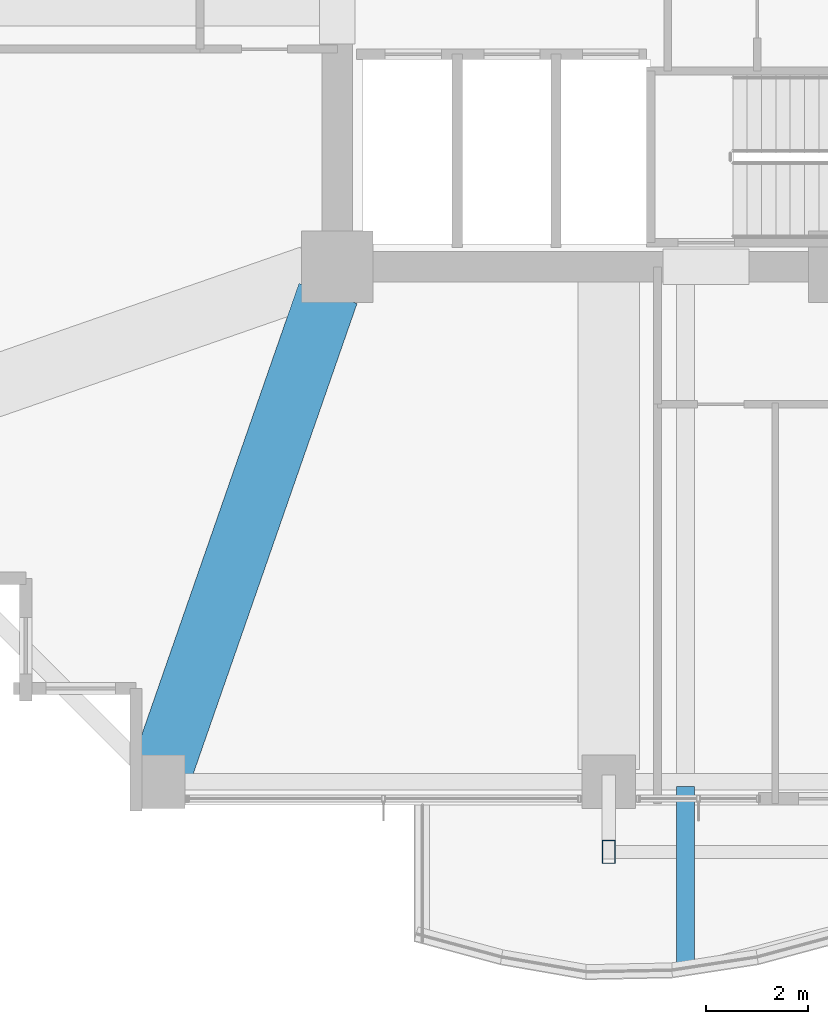
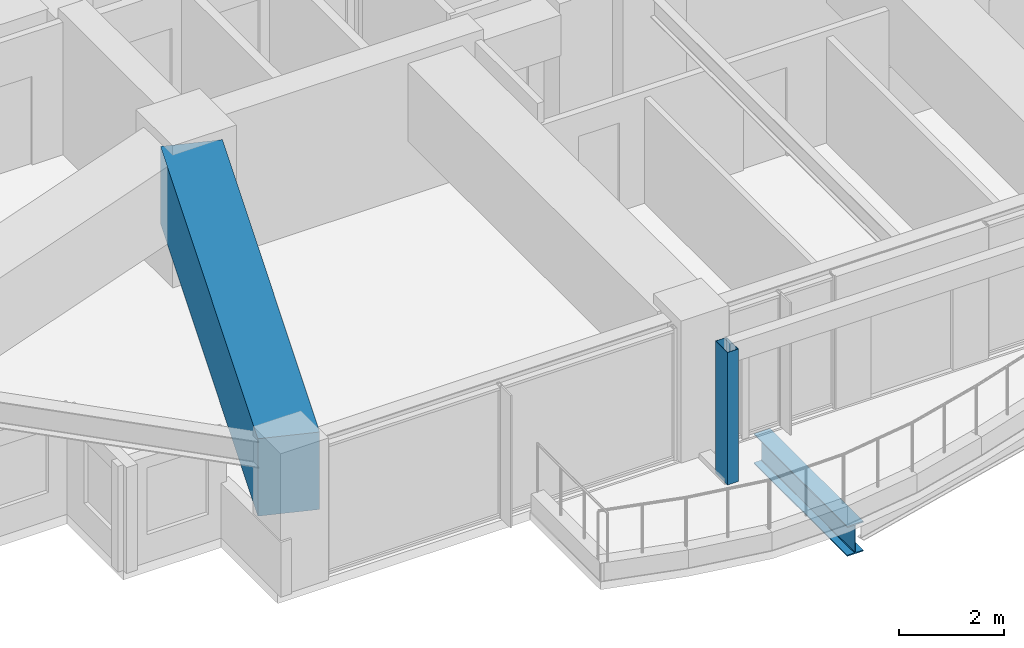
# One storey, part 4 of 39: 2 beams, 1 member.
"""IFC4 building model written with IfcOpenShell, lengths in metres."""

from ifc_helpers import new_model, si_unit, direction, frame, origin, origin_2d, place, context, subcontext, project, spatial, rectangle, hollow_rectangle, i_section, extrude, material, material_profile, profile_set, type_object, element, save


model = new_model("IFC4")

# Units and contexts
model_context = context("Model", 3, precision=1e-05, world=origin(), true_north=direction((0.0, 1.0)))
body_context = subcontext(model_context, "Body", "Model", "MODEL_VIEW")
ifc_project = project(units=[si_unit("LENGTHUNIT", "METRE"), si_unit("AREAUNIT", "SQUARE_METRE"), si_unit("VOLUMEUNIT", "CUBIC_METRE"), si_unit("PLANEANGLEUNIT", "RADIAN"), si_unit("MASSUNIT", "GRAM", prefix="KILO")], contexts=[model_context])

# Site, building, storey
site_placement = place(None, origin())
site = spatial("IfcSite", under=ifc_project, at=site_placement, CompositionType="ELEMENT")
building_placement = place(site_placement, origin())
building = spatial("IfcBuilding", under=site, at=building_placement, Name="Kolvaren Belvedere", CompositionType="ELEMENT")
storey_placement = place(building_placement, frame((0.0, 0.0, 85.39990234375)))
storey = spatial("IfcBuildingStorey", under=building, at=storey_placement, Name="L24", CompositionType="ELEMENT", Elevation=85.39990234375)

# Beams
ifc_material_1 = material(Name="Structural steel ASTM A992 Grade 50", Category="steel")
ifc_material_profile_1 = material_profile(ifc_material_1, i_section(OverallWidth=0.35498046875, OverallDepth=0.696044921875, WebThickness=0.015380859375, FlangeThickness=0.02490234375, FilletRadius=0.02197265625, at=origin_2d()), Name="W27X146")
ifc_profile_set_1 = profile_set([ifc_material_profile_1], Name="Structural steel ASTM A992 Grade 50")
beam_type_1 = type_object("IfcBeamType", Name="BM-CANT-BAL", PredefinedType="BEAM", material=ifc_profile_set_1)
beam_1_placement = place(storey_placement, frame((-3.10009765625, -20.044921875, -0.56787109375), z_axis=(0.0, -1.0, 0.0), x_axis=(1.0, 0.0, 0.0)))
element("IfcBeam", 1, at=beam_1_placement, inside=storey, type_object=beam_type_1, Name="L24 Planted Balcony Cantilever BAL-S-1", PredefinedType="BEAM", context=body_context, shape_type="SweptSolid", body=[
    extrude(i_section(OverallWidth=0.35498046875, OverallDepth=0.696044921875, WebThickness=0.015380859375, FlangeThickness=0.02490234375, FilletRadius=0.02197265625, at=origin_2d()), origin(), (0.0, 0.0, 1.0), 3.56103515625),
])
ifc_material_2 = material(Name="Concrete C50/60", Category="concrete")
ifc_material_profile_2 = material_profile(ifc_material_2, rectangle(XDim=1.199951171875, YDim=1.800048828125, at=origin_2d()), Name="RC 1200X1800")
ifc_profile_set_2 = profile_set([ifc_material_profile_2], Name="Concrete C50/60")
beam_type_2 = type_object("IfcBeamType", Name="BM-TG-1800", PredefinedType="BEAM", material=ifc_profile_set_2)
beam_2_placement = place(storey_placement, frame((-10.080810546875, -10.41943359375, 2.18017578125), z_axis=(-0.328880894453, -0.944371408538, 0.0), x_axis=(0.944371408538, -0.328880894453, 0.0)))
element("IfcBeam", 2, at=beam_2_placement, inside=storey, type_object=beam_type_2, Name="L24 Corner Core-to-Perimeter Girder CC1-S1", PredefinedType="BEAM", context=body_context, shape_type="SweptSolid", body=[
    extrude(rectangle(XDim=1.199951171875, YDim=1.800048828125, at=origin_2d()), origin(), (0.0, 0.0, 1.0), 9.882080078125),
])

# Member
ifc_material_3 = material(Name="Anodised pale-metal aluminium AA 6063-T6", Category="aluminium")
ifc_material_profile_3 = material_profile(ifc_material_3, hollow_rectangle(XDim=0.25, YDim=0.449951171875, WallThickness=0.008544921875, at=origin_2d()), Name="ALU-PF-450X250")
ifc_profile_set_3 = profile_set([ifc_material_profile_3], Name="Anodised pale-metal aluminium AA 6063-T6")
member_type = type_object("IfcMemberType", Name="PF-FRAME-450", PredefinedType="USERDEFINED", material=ifc_profile_set_3)
member_placement = place(storey_placement, frame((-4.60009765625, -21.320068359375, 0.0), z_axis=(0.0, 0.0, 1.0), x_axis=(1.0, 0.0, 0.0)))
element("IfcMember", 3, at=member_placement, inside=storey, type_object=member_type, Name="L24 Outboard Picture-Frame Vertical S2", ObjectType="PICTURE FRAME FIN", PredefinedType="USERDEFINED", context=body_context, shape_type="SweptSolid", body=[
    extrude(hollow_rectangle(XDim=0.25, YDim=0.449951171875, WallThickness=0.008544921875, at=origin_2d()), origin(), (0.0, 0.0, 1.0), 3.080078125),
])

save(model, "model.ifc")
